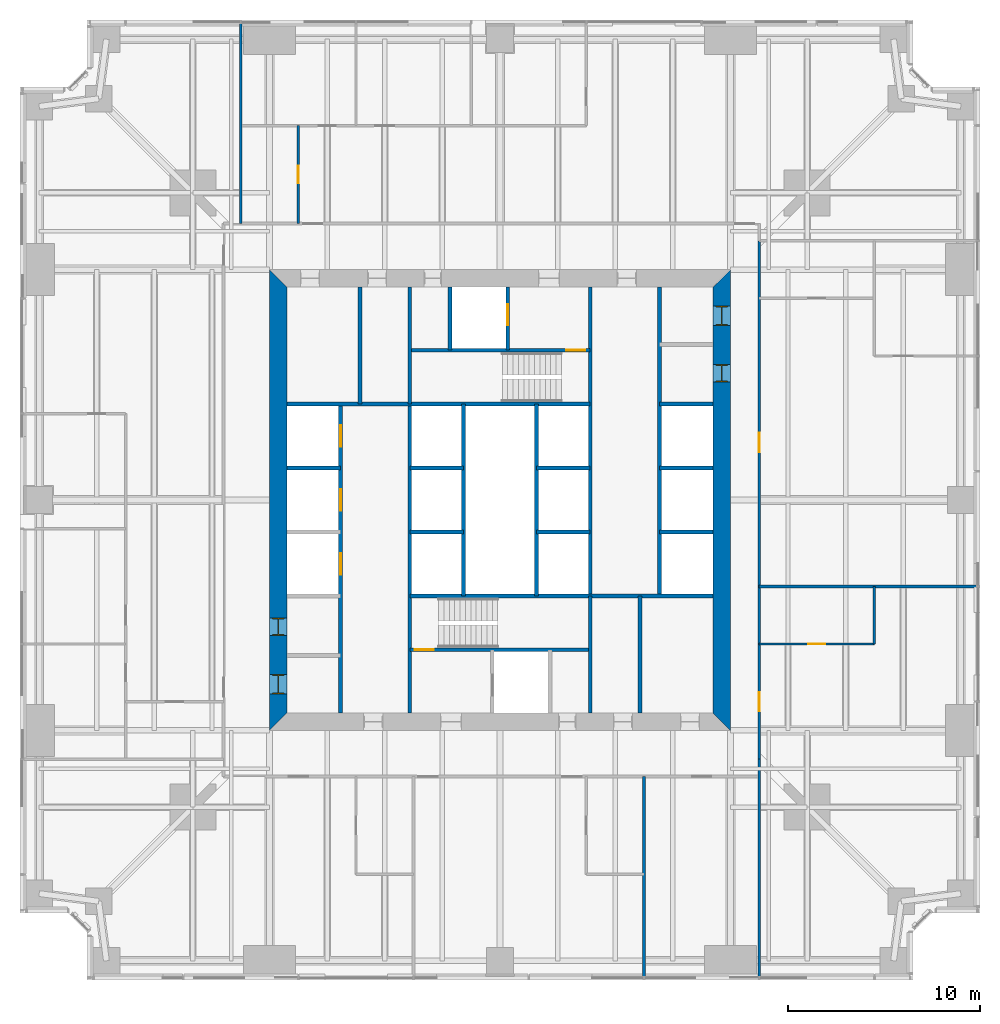
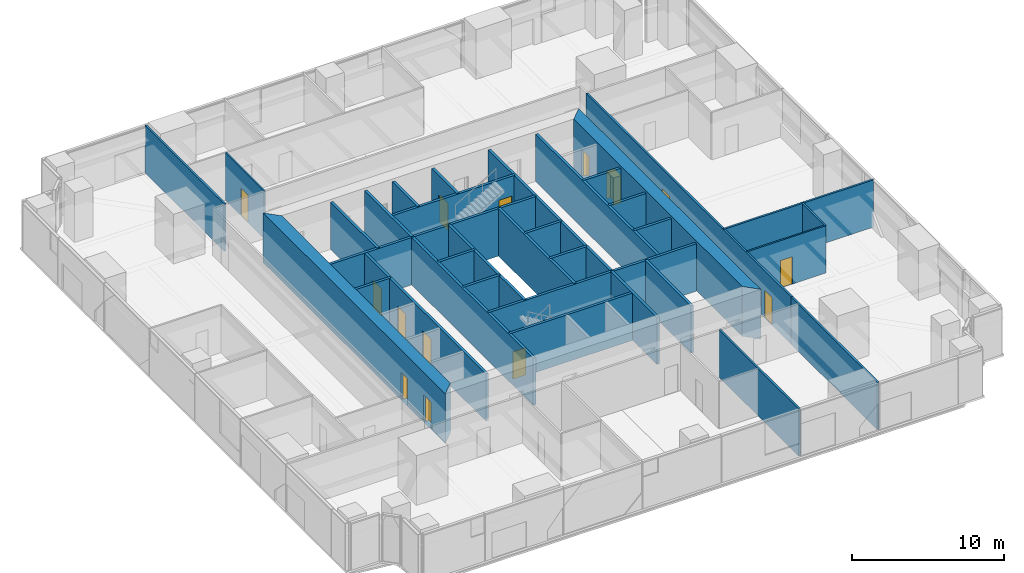
# One storey, part 10 of 14: 34 walls, 14 doors, 14 openings.
"""IFC4 building model written with IfcOpenShell, lengths in metres."""

from ifc_helpers import new_model, si_unit, direction, frame, frame_2d, origin, place, context, subcontext, project, spatial, polyline, rectangle, outline, extrude, material, layer, layer_set, type_object, element, fill, save


model = new_model("IFC4")

# Units and contexts
model_context = context("Model", 3, precision=1e-05, world=origin(), true_north=direction((0.0, 1.0)))
body_context = subcontext(model_context, "Body", "Model", "MODEL_VIEW")
ifc_project = project(units=[si_unit("LENGTHUNIT", "METRE"), si_unit("AREAUNIT", "SQUARE_METRE"), si_unit("VOLUMEUNIT", "CUBIC_METRE"), si_unit("PLANEANGLEUNIT", "RADIAN"), si_unit("MASSUNIT", "GRAM", prefix="KILO")], contexts=[model_context])

# Site, building, storey
site_placement = place(None, origin())
site = spatial("IfcSite", under=ifc_project, at=site_placement, CompositionType="ELEMENT")
building_placement = place(site_placement, origin())
building = spatial("IfcBuilding", under=site, at=building_placement, Name="Fenwick Lantern Interchange", CompositionType="ELEMENT")
storey_placement = place(building_placement, frame((0.0, 0.0, 87.0)))
storey = spatial("IfcBuildingStorey", under=building, at=storey_placement, Name="L20", CompositionType="ELEMENT", Elevation=87.0)

# Wall, openings, doors
ifc_material_1 = material(Name="Concrete masonry ASTM C90 Grade N", Category="masonry")
ifc_layer_1 = layer(ifc_material_1, 0.199951171875)
ifc_layer_set_1 = layer_set([ifc_layer_1], Name="Concrete masonry ASTM C90 Grade N")
wall_type_1 = type_object("IfcWallType", Name="CORE PARTITION 200", PredefinedType="PARTITIONING", material=ifc_layer_set_1)
wall_1_placement = place(storey_placement, frame((16.699951171875, 13.89990234375, 0.0), z_axis=(0.0, 0.0, 1.0), x_axis=(0.0, 1.0, 0.0)))
wall_1 = element("IfcWall", 1, at=wall_1_placement, inside=storey, type_object=wall_type_1, Name="L20/W/CORES/a", PredefinedType="PARTITIONING", context=body_context, shape_type="SweptSolid", body=[
    extrude(rectangle(XDim=16.10009765625, YDim=0.199951171875, at=frame_2d((8.050048828125, 0.0))), origin(), (0.0, 0.0, 1.0), 3.800048828125),
])
opening_1_placement = place(wall_1_placement, frame((7.216552734375, 0.0, 0.0)))
opening_1 = element("IfcOpeningElement", 2, at=opening_1_placement, cuts=wall_1, Name="Opening LD-W1-1", PredefinedType="OPENING", context=body_context, shape_type="SweptSolid", body=[
    extrude(rectangle(XDim=1.10009765625, YDim=2.199951171875, at=frame_2d((0.550048828125, 1.10009765625))), frame((0.0, 0.10986328125, 0.0), z_axis=(0.0, -1.0, 0.0), x_axis=(1.0, 0.0, 0.0)), (0.0, 0.0, 1.0), 0.219970703125),
])
opening_2_placement = place(wall_1_placement, frame((10.550048828125, 0.0, 0.0)))
opening_2 = element("IfcOpeningElement", 3, at=opening_2_placement, cuts=wall_1, Name="Opening LD-W1-2", PredefinedType="OPENING", context=body_context, shape_type="SweptSolid", body=[
    extrude(rectangle(XDim=1.10009765625, YDim=2.199951171875, at=frame_2d((0.550048828125, 1.10009765625))), frame((0.0, 0.10986328125, 0.0), z_axis=(0.0, -1.0, 0.0), x_axis=(1.0, 0.0, 0.0)), (0.0, 0.0, 1.0), 0.219970703125),
])
opening_3_placement = place(wall_1_placement, frame((13.88330078125, 0.0, 0.0)))
opening_3 = element("IfcOpeningElement", 4, at=opening_3_placement, cuts=wall_1, Name="Opening LD-W1-3", PredefinedType="OPENING", context=body_context, shape_type="SweptSolid", body=[
    extrude(rectangle(XDim=1.10009765625, YDim=2.199951171875, at=frame_2d((0.550048828125, 1.10009765625))), frame((0.0, 0.10986328125, 0.0), z_axis=(0.0, -1.0, 0.0), x_axis=(1.0, 0.0, 0.0)), (0.0, 0.0, 1.0), 0.219970703125),
])
ifc_material_2 = material(Name="Steel door and frame", Category="steel")
door_type_1 = type_object("IfcDoorType", Name="LIFT LANDING DOOR 1100 X 2200", OperationType="DOUBLE_DOOR_SLIDING", PredefinedType="DOOR", material=ifc_material_2)
door_1_placement = place(opening_1_placement, origin())
door_1 = element("IfcDoor", 5, at=door_1_placement, inside=storey, type_object=door_type_1, Name="Lift landing door W1-1", OperationType="DOUBLE_DOOR_SLIDING", OverallHeight=2.199951171875, OverallWidth=1.10009765625, PredefinedType="DOOR", context=body_context, shape_type="SweptSolid", body=[
    extrude(rectangle(XDim=1.10009765625, YDim=2.199951171875, at=frame_2d((0.550048828125, 1.10009765625))), frame((0.0, 0.02490234375, 0.0), z_axis=(0.0, -1.0, 0.0), x_axis=(1.0, 0.0, 0.0)), (0.0, 0.0, 1.0), 0.050048828125),
])
fill(opening_1, door_1)
door_2_placement = place(opening_2_placement, origin())
door_2 = element("IfcDoor", 6, at=door_2_placement, inside=storey, type_object=door_type_1, Name="Lift landing door W1-2", OperationType="DOUBLE_DOOR_SLIDING", OverallHeight=2.199951171875, OverallWidth=1.10009765625, PredefinedType="DOOR", context=body_context, shape_type="SweptSolid", body=[
    extrude(rectangle(XDim=1.10009765625, YDim=2.199951171875, at=frame_2d((0.550048828125, 1.10009765625))), frame((0.0, 0.02490234375, 0.0), z_axis=(0.0, -1.0, 0.0), x_axis=(1.0, 0.0, 0.0)), (0.0, 0.0, 1.0), 0.050048828125),
])
fill(opening_2, door_2)
door_3_placement = place(opening_3_placement, origin())
door_3 = element("IfcDoor", 7, at=door_3_placement, inside=storey, type_object=door_type_1, Name="Lift landing door W1-3", OperationType="DOUBLE_DOOR_SLIDING", OverallHeight=2.199951171875, OverallWidth=1.10009765625, PredefinedType="DOOR", context=body_context, shape_type="SweptSolid", body=[
    extrude(rectangle(XDim=1.10009765625, YDim=2.199951171875, at=frame_2d((0.550048828125, 1.10009765625))), frame((0.0, 0.02490234375, 0.0), z_axis=(0.0, -1.0, 0.0), x_axis=(1.0, 0.0, 0.0)), (0.0, 0.0, 1.0), 0.050048828125),
])
fill(opening_3, door_3)

# Walls
for number, where, z_axis, x_axis, name in (
    (8, (13.89990234375, 26.666748046875, 0.0), (0.0, 0.0, 1.0), (1.0, 0.0, 0.0), "L20/W/CORES/d2"),
    (9, (20.300048828125, 23.333251953125, 0.0), (0.0, 0.0, 1.0), (1.0, 0.0, 0.0), "L20/W/CORES/e1"),
    (10, (20.300048828125, 26.666748046875, 0.0), (0.0, 0.0, 1.0), (1.0, 0.0, 0.0), "L20/W/CORES/e2"),
):
    element("IfcWall", number, at=place(storey_placement, frame(where, z_axis=z_axis, x_axis=x_axis)), inside=storey, type_object=wall_type_1, Name=name, PredefinedType="PARTITIONING", context=body_context, shape_type="SweptSolid", body=[
        extrude(rectangle(XDim=2.800048828125, YDim=0.199951171875, at=frame_2d((1.39990234375, 0.0))), origin(), (0.0, 0.0, 1.0), 3.800048828125),
    ])
wall_2_placement = place(storey_placement, frame((23.10009765625, 20.0, 0.0), z_axis=(0.0, 0.0, 1.0), x_axis=(0.0, 1.0, 0.0)))
element("IfcWall", 11, at=wall_2_placement, inside=storey, type_object=wall_type_1, Name="L20/W/CORES/e3", PredefinedType="PARTITIONING", context=body_context, shape_type="SweptSolid", body=[
    extrude(rectangle(XDim=10.0, YDim=0.199951171875, at=frame_2d((5.0, 0.0))), origin(), (0.0, 0.0, 1.0), 3.800048828125),
])
wall_3_placement = place(storey_placement, frame((32.300048828125, 13.89990234375, 0.0), z_axis=(0.0, 0.0, 1.0), x_axis=(0.0, 1.0, 0.0)))
element("IfcWall", 12, at=wall_3_placement, inside=storey, type_object=wall_type_1, Name="L20/W/CORES/i2", PredefinedType="PARTITIONING", context=body_context, shape_type="SweptSolid", body=[
    extrude(rectangle(XDim=6.10009765625, YDim=0.199951171875, at=frame_2d((3.050048828125, 0.0))), origin(), (0.0, 0.0, 1.0), 3.800048828125),
])
wall_4_placement = place(storey_placement, frame((33.300048828125, 36.10009765625, 0.0), z_axis=(0.0, 0.0, 1.0), x_axis=(0.0, -1.0, 0.0)))
element("IfcWall", 13, at=wall_4_placement, inside=storey, type_object=wall_type_1, Name="L20/W/COREN/a", PredefinedType="PARTITIONING", context=body_context, shape_type="SweptSolid", body=[
    extrude(rectangle(XDim=16.10009765625, YDim=0.199951171875, at=frame_2d((8.050048828125, 0.0))), origin(), (0.0, 0.0, 1.0), 3.800048828125),
])
for number, where, z_axis, x_axis, name in (
    (14, (36.10009765625, 30.0, 0.0), (0.0, 0.0, 1.0), (-1.0, 0.0, 0.0), "L20/W/COREN/c2"),
    (15, (36.10009765625, 26.666748046875, 0.0), (0.0, 0.0, 1.0), (-1.0, 0.0, 0.0), "L20/W/COREN/d1"),
    (16, (36.10009765625, 23.333251953125, 0.0), (0.0, 0.0, 1.0), (-1.0, 0.0, 0.0), "L20/W/COREN/d2"),
    (17, (29.699951171875, 26.666748046875, 0.0), (0.0, 0.0, 1.0), (-1.0, 0.0, 0.0), "L20/W/COREN/e1"),
    (18, (29.699951171875, 23.333251953125, 0.0), (0.0, 0.0, 1.0), (-1.0, 0.0, 0.0), "L20/W/COREN/e2"),
):
    element("IfcWall", number, at=place(storey_placement, frame(where, z_axis=z_axis, x_axis=x_axis)), inside=storey, type_object=wall_type_1, Name=name, PredefinedType="PARTITIONING", context=body_context, shape_type="SweptSolid", body=[
        extrude(rectangle(XDim=2.800048828125, YDim=0.199951171875, at=frame_2d((1.39990234375, 0.0))), origin(), (0.0, 0.0, 1.0), 3.800048828125),
    ])
wall_5_placement = place(storey_placement, frame((26.89990234375, 30.0, 0.0), z_axis=(0.0, 0.0, 1.0), x_axis=(0.0, -1.0, 0.0)))
element("IfcWall", 19, at=wall_5_placement, inside=storey, type_object=wall_type_1, Name="L20/W/COREN/e3", PredefinedType="PARTITIONING", context=body_context, shape_type="SweptSolid", body=[
    extrude(rectangle(XDim=10.0, YDim=0.199951171875, at=frame_2d((5.0, 0.0))), origin(), (0.0, 0.0, 1.0), 3.800048828125),
])

# Wall, opening, door
wall_6_placement = place(storey_placement, frame((25.39990234375, 36.10009765625, 0.0), z_axis=(0.0, 0.0, 1.0), x_axis=(0.0, -1.0, 0.0)))
wall_6 = element("IfcWall", 20, at=wall_6_placement, inside=storey, type_object=wall_type_1, Name="L20/W/COREN/h1", PredefinedType="PARTITIONING", context=body_context, shape_type="SweptSolid", body=[
    extrude(rectangle(XDim=3.300048828125, YDim=0.199951171875, at=frame_2d((1.64990234375, 0.0))), origin(), (0.0, 0.0, 1.0), 3.800048828125),
])
opening_4_placement = place(wall_6_placement, frame((0.89990234375, 0.0, 0.0)))
opening_4 = element("IfcOpeningElement", 21, at=opening_4_placement, cuts=wall_6, Name="Opening LD-FL2", PredefinedType="OPENING", context=body_context, shape_type="SweptSolid", body=[
    extrude(rectangle(XDim=1.10009765625, YDim=2.199951171875, at=frame_2d((0.550048828125, 1.10009765625))), frame((0.0, 0.10986328125, 0.0), z_axis=(0.0, -1.0, 0.0), x_axis=(1.0, 0.0, 0.0)), (0.0, 0.0, 1.0), 0.219970703125),
])
door_4_placement = place(opening_4_placement, origin())
door_4 = element("IfcDoor", 22, at=door_4_placement, inside=storey, type_object=door_type_1, Name="Lift landing door FL2", OperationType="DOUBLE_DOOR_SLIDING", OverallHeight=2.199951171875, OverallWidth=1.10009765625, PredefinedType="DOOR", context=body_context, shape_type="SweptSolid", body=[
    extrude(rectangle(XDim=1.10009765625, YDim=2.199951171875, at=frame_2d((0.550048828125, 1.10009765625))), frame((0.0, 0.02490234375, 0.0), z_axis=(0.0, -1.0, 0.0), x_axis=(1.0, 0.0, 0.0)), (0.0, 0.0, 1.0), 0.050048828125),
])
fill(opening_4, door_4)

# Walls
wall_7_placement = place(storey_placement, frame((22.39990234375, 36.10009765625, 0.0), z_axis=(0.0, 0.0, 1.0), x_axis=(0.0, -1.0, 0.0)))
element("IfcWall", 23, at=wall_7_placement, inside=storey, type_object=wall_type_1, Name="L20/W/COREN/h2", PredefinedType="PARTITIONING", context=body_context, shape_type="SweptSolid", body=[
    extrude(rectangle(XDim=3.300048828125, YDim=0.199951171875, at=frame_2d((1.64990234375, 0.0))), origin(), (0.0, 0.0, 1.0), 3.800048828125),
])
wall_8_placement = place(storey_placement, frame((17.699951171875, 36.10009765625, 0.0), z_axis=(0.0, 0.0, 1.0), x_axis=(0.0, -1.0, 0.0)))
element("IfcWall", 24, at=wall_8_placement, inside=storey, type_object=wall_type_1, Name="L20/W/COREN/i2", PredefinedType="PARTITIONING", context=body_context, shape_type="SweptSolid", body=[
    extrude(rectangle(XDim=6.10009765625, YDim=0.199951171875, at=frame_2d((3.050048828125, 0.0))), origin(), (0.0, 0.0, 1.0), 3.800048828125),
])

# Wall, openings, doors
ifc_material_3 = material(Name="Concrete f'c 70 MPa", Category="concrete")
ifc_layer_2 = layer(ifc_material_3, 0.89990234375)
ifc_layer_set_2 = layer_set([ifc_layer_2], Name="CORE WALL 900")
wall_type_2 = type_object("IfcWallType", Name="CORE WALL 900", PredefinedType="SHEAR", material=ifc_layer_set_2)
wall_9_placement = place(storey_placement, frame((36.550048828125, 13.89990234375, 0.0), z_axis=(0.0, 0.0, 1.0), x_axis=(0.0, 1.0, 0.0)))
wall_9 = element("IfcWall", 25, at=wall_9_placement, inside=storey, type_object=wall_type_2, Name="L20/CORE/E", PredefinedType="SHEAR", context=body_context, shape_type="SweptSolid", body=[
    extrude(outline(polyline([(-0.89990234375, -0.449951171875), (23.10009765625, -0.449951171875), (22.199951171875, 0.449951171875), (0.0, 0.449951171875), (-0.89990234375, -0.449951171875)])), origin(), (0.0, 0.0, 1.0), 4.0),
])
opening_5_placement = place(wall_9_placement, frame((20.199951171875, 0.0, 0.0)))
opening_5 = element("IfcOpeningElement", 26, at=opening_5_placement, cuts=wall_9, Name="Opening L20-D015", PredefinedType="OPENING", context=body_context, shape_type="SweptSolid", body=[
    extrude(rectangle(XDim=1.0, YDim=2.199951171875, at=frame_2d((0.5, 1.10009765625))), frame((0.0, 0.4599609375, 0.0), z_axis=(0.0, -1.0, 0.0), x_axis=(1.0, 0.0, 0.0)), (0.0, 0.0, 1.0), 0.919921875),
])
opening_6_placement = place(wall_9_placement, frame((17.25, 0.0, 0.0)))
opening_6 = element("IfcOpeningElement", 27, at=opening_6_placement, cuts=wall_9, Name="Opening L20-D016", PredefinedType="OPENING", context=body_context, shape_type="SweptSolid", body=[
    extrude(rectangle(XDim=0.89990234375, YDim=2.199951171875, at=frame_2d((0.449951171875, 1.10009765625))), frame((0.0, 0.4599609375, 0.0), z_axis=(0.0, -1.0, 0.0), x_axis=(1.0, 0.0, 0.0)), (0.0, 0.0, 1.0), 0.919921875),
])
door_type_2 = type_object("IfcDoorType", Name="SERVICE DOOR 900 X 2200", OperationType="SINGLE_SWING_LEFT", PredefinedType="DOOR", material=ifc_material_2)
door_5_placement = place(opening_6_placement, origin())
door_5 = element("IfcDoor", 28, at=door_5_placement, inside=storey, type_object=door_type_2, Name="Service door", OperationType="SINGLE_SWING_RIGHT", OverallHeight=2.199951171875, OverallWidth=0.89990234375, PredefinedType="DOOR", context=body_context, shape_type="SweptSolid", body=[
    extrude(rectangle(XDim=0.89990234375, YDim=2.199951171875, at=frame_2d((0.449951171875, 1.10009765625))), frame((0.0, 0.02490234375, 0.0), z_axis=(0.0, -1.0, 0.0), x_axis=(1.0, 0.0, 0.0)), (0.0, 0.0, 1.0), 0.050048828125),
    extrude(outline(polyline([(0.0, 0.0), (0.0400390625, 0.0), (0.0400390625, 2.159912109375), (0.85986328125, 2.159912109375), (0.85986328125, 0.0), (0.89990234375, 0.0), (0.89990234375, 2.199951171875), (0.0, 2.199951171875), (0.0, 0.0)])), frame((0.0, 0.300048828125, 0.0), z_axis=(0.0, -1.0, 0.0), x_axis=(1.0, 0.0, 0.0)), (0.0, 0.0, 1.0), 0.60009765625),
])
fill(opening_6, door_5)
ifc_material_4 = material(Name="Hardwood door and steel frame", Category="steel")
door_type_3 = type_object("IfcDoorType", Name="WC DOOR 1000 X 2200", OperationType="SINGLE_SWING_LEFT", PredefinedType="DOOR", material=ifc_material_4)
door_6_placement = place(opening_5_placement, origin())
door_6 = element("IfcDoor", 29, at=door_6_placement, inside=storey, type_object=door_type_3, Name="Wc door", OperationType="SINGLE_SWING_LEFT", OverallHeight=2.199951171875, OverallWidth=1.0, PredefinedType="DOOR", context=body_context, shape_type="SweptSolid", body=[
    extrude(rectangle(XDim=1.0, YDim=2.199951171875, at=frame_2d((0.5, 1.10009765625))), frame((0.0, 0.02490234375, 0.0), z_axis=(0.0, -1.0, 0.0), x_axis=(1.0, 0.0, 0.0)), (0.0, 0.0, 1.0), 0.050048828125),
    extrude(outline(polyline([(0.0, 0.0), (0.0400390625, 0.0), (0.0400390625, 2.159912109375), (0.9599609375, 2.159912109375), (0.9599609375, 0.0), (1.0, 0.0), (1.0, 2.199951171875), (0.0, 2.199951171875), (0.0, 0.0)])), frame((0.0, 0.300048828125, 0.0), z_axis=(0.0, -1.0, 0.0), x_axis=(1.0, 0.0, 0.0)), (0.0, 0.0, 1.0), 0.60009765625),
])
fill(opening_5, door_6)

wall_10_placement = place(storey_placement, frame((13.449951171875, 36.10009765625, 0.0), z_axis=(0.0, 0.0, 1.0), x_axis=(0.0, -1.0, 0.0)))
wall_10 = element("IfcWall", 30, at=wall_10_placement, inside=storey, type_object=wall_type_2, Name="L20/CORE/W", PredefinedType="SHEAR", context=body_context, shape_type="SweptSolid", body=[
    extrude(outline(polyline([(-0.89990234375, -0.449951171875), (23.10009765625, -0.449951171875), (22.199951171875, 0.449951171875), (0.0, 0.449951171875), (-0.89990234375, -0.449951171875)])), origin(), (0.0, 0.0, 1.0), 4.0),
])
opening_7_placement = place(wall_10_placement, frame((20.199951171875, 0.0, 0.0)))
opening_7 = element("IfcOpeningElement", 31, at=opening_7_placement, cuts=wall_10, Name="Opening L20-D007", PredefinedType="OPENING", context=body_context, shape_type="SweptSolid", body=[
    extrude(rectangle(XDim=1.0, YDim=2.199951171875, at=frame_2d((0.5, 1.10009765625))), frame((0.0, 0.4599609375, 0.0), z_axis=(0.0, -1.0, 0.0), x_axis=(1.0, 0.0, 0.0)), (0.0, 0.0, 1.0), 0.919921875),
])
opening_8_placement = place(wall_10_placement, frame((17.25, 0.0, 0.0)))
opening_8 = element("IfcOpeningElement", 32, at=opening_8_placement, cuts=wall_10, Name="Opening L20-D008", PredefinedType="OPENING", context=body_context, shape_type="SweptSolid", body=[
    extrude(rectangle(XDim=0.89990234375, YDim=2.199951171875, at=frame_2d((0.449951171875, 1.10009765625))), frame((0.0, 0.4599609375, 0.0), z_axis=(0.0, -1.0, 0.0), x_axis=(1.0, 0.0, 0.0)), (0.0, 0.0, 1.0), 0.919921875),
])
door_7_placement = place(opening_8_placement, origin())
door_7 = element("IfcDoor", 33, at=door_7_placement, inside=storey, type_object=door_type_2, Name="Service door", OperationType="SINGLE_SWING_RIGHT", OverallHeight=2.199951171875, OverallWidth=0.89990234375, PredefinedType="DOOR", context=body_context, shape_type="SweptSolid", body=[
    extrude(rectangle(XDim=0.89990234375, YDim=2.199951171875, at=frame_2d((0.449951171875, 1.10009765625))), frame((0.0, 0.02490234375, 0.0), z_axis=(0.0, -1.0, 0.0), x_axis=(1.0, 0.0, 0.0)), (0.0, 0.0, 1.0), 0.050048828125),
    extrude(outline(polyline([(0.0, 0.0), (0.0400390625, 0.0), (0.0400390625, 2.159912109375), (0.85986328125, 2.159912109375), (0.85986328125, 0.0), (0.89990234375, 0.0), (0.89990234375, 2.199951171875), (0.0, 2.199951171875), (0.0, 0.0)])), frame((0.0, 0.300048828125, 0.0), z_axis=(0.0, -1.0, 0.0), x_axis=(1.0, 0.0, 0.0)), (0.0, 0.0, 1.0), 0.60009765625),
])
fill(opening_8, door_7)
door_8_placement = place(opening_7_placement, origin())
door_8 = element("IfcDoor", 34, at=door_8_placement, inside=storey, type_object=door_type_3, Name="Wc door", OperationType="SINGLE_SWING_LEFT", OverallHeight=2.199951171875, OverallWidth=1.0, PredefinedType="DOOR", context=body_context, shape_type="SweptSolid", body=[
    extrude(rectangle(XDim=1.0, YDim=2.199951171875, at=frame_2d((0.5, 1.10009765625))), frame((0.0, 0.02490234375, 0.0), z_axis=(0.0, -1.0, 0.0), x_axis=(1.0, 0.0, 0.0)), (0.0, 0.0, 1.0), 0.050048828125),
    extrude(outline(polyline([(0.0, 0.0), (0.0400390625, 0.0), (0.0400390625, 2.159912109375), (0.9599609375, 2.159912109375), (0.9599609375, 0.0), (1.0, 0.0), (1.0, 2.199951171875), (0.0, 2.199951171875), (0.0, 0.0)])), frame((0.0, 0.300048828125, 0.0), z_axis=(0.0, -1.0, 0.0), x_axis=(1.0, 0.0, 0.0)), (0.0, 0.0, 1.0), 0.60009765625),
])
fill(opening_7, door_8)

ifc_material_5 = material(Name="Gypsum board on steel studs, 1 hour", Category="steel")
ifc_layer_3 = layer(ifc_material_5, 0.14990234375)
ifc_layer_set_3 = layer_set([ifc_layer_3], Name="CORRIDOR WALL 150")
wall_type_3 = type_object("IfcWallType", Name="CORRIDOR WALL 150", PredefinedType="PARTITIONING", material=ifc_layer_set_3)
wall_11_placement = place(storey_placement, frame((38.5, 11.5, 0.0), z_axis=(0.0, 0.0, 1.0), x_axis=(0.0, 1.0, 0.0)))
wall_11 = element("IfcWall", 35, at=wall_11_placement, inside=storey, type_object=wall_type_3, Name="L20/W/OFF/E/CW", PredefinedType="PARTITIONING", context=body_context, shape_type="SweptSolid", body=[
    extrude(rectangle(XDim=27.0, YDim=0.14990234375, at=frame_2d((13.5, 0.0))), origin(), (0.0, 0.0, 1.0), 3.800048828125),
])
opening_9_placement = place(wall_11_placement, frame((2.5, 0.0, 0.0)))
opening_9 = element("IfcOpeningElement", 36, at=opening_9_placement, cuts=wall_11, Name="Opening L20-D023", PredefinedType="OPENING", context=body_context, shape_type="SweptSolid", body=[
    extrude(rectangle(XDim=1.0, YDim=2.199951171875, at=frame_2d((0.5, 1.10009765625))), frame((0.0, 0.0849609375, 0.0), z_axis=(0.0, -1.0, 0.0), x_axis=(1.0, 0.0, 0.0)), (0.0, 0.0, 1.0), 0.169921875),
])
opening_10_placement = place(wall_11_placement, frame((16.0, 0.0, 0.0)))
opening_10 = element("IfcOpeningElement", 37, at=opening_10_placement, cuts=wall_11, Name="Opening L20-D025", PredefinedType="OPENING", context=body_context, shape_type="SweptSolid", body=[
    extrude(rectangle(XDim=1.0, YDim=2.199951171875, at=frame_2d((0.5, 1.10009765625))), frame((0.0, 0.0849609375, 0.0), z_axis=(0.0, -1.0, 0.0), x_axis=(1.0, 0.0, 0.0)), (0.0, 0.0, 1.0), 0.169921875),
])
door_type_4 = type_object("IfcDoorType", Name="SUITE ENTRANCE DOOR 1000 X 2200", OperationType="SINGLE_SWING_LEFT", PredefinedType="DOOR", material=ifc_material_2)
door_9_placement = place(opening_9_placement, frame((1.0, 0.0, 0.0), z_axis=(0.0, 0.0, 1.0), x_axis=(-1.0, 0.0, 0.0)))
door_9 = element("IfcDoor", 38, at=door_9_placement, inside=storey, type_object=door_type_4, Name="Suite entrance door", OperationType="SINGLE_SWING_LEFT", OverallHeight=2.199951171875, OverallWidth=1.0, PredefinedType="DOOR", context=body_context, shape_type="SweptSolid", body=[
    extrude(rectangle(XDim=1.0, YDim=2.199951171875, at=frame_2d((0.5, 1.10009765625))), frame((0.0, 0.02490234375, 0.0), z_axis=(0.0, -1.0, 0.0), x_axis=(1.0, 0.0, 0.0)), (0.0, 0.0, 1.0), 0.050048828125),
])
fill(opening_9, door_9)
door_10_placement = place(opening_10_placement, frame((1.0, 0.0, 0.0), z_axis=(0.0, 0.0, 1.0), x_axis=(-1.0, 0.0, 0.0)))
door_10 = element("IfcDoor", 39, at=door_10_placement, inside=storey, type_object=door_type_4, Name="Suite entrance door", OperationType="SINGLE_SWING_RIGHT", OverallHeight=2.199951171875, OverallWidth=1.0, PredefinedType="DOOR", context=body_context, shape_type="SweptSolid", body=[
    extrude(rectangle(XDim=1.0, YDim=2.199951171875, at=frame_2d((0.5, 1.10009765625))), frame((0.0, 0.02490234375, 0.0), z_axis=(0.0, -1.0, 0.0), x_axis=(1.0, 0.0, 0.0)), (0.0, 0.0, 1.0), 0.050048828125),
])
fill(opening_10, door_10)

# Wall, opening, door
ifc_material_6 = material(Name="Gypsum board on steel studs, acoustic", Category="steel")
ifc_layer_4 = layer(ifc_material_6, 0.125)
ifc_layer_set_4 = layer_set([ifc_layer_4], Name="OFFICE PARTITION 125")
wall_type_4 = type_object("IfcWallType", Name="OFFICE PARTITION 125", PredefinedType="PARTITIONING", material=ifc_layer_set_4)
wall_12_placement = place(storey_placement, frame((44.5, 17.5, 0.0), z_axis=(0.0, 0.0, 1.0), x_axis=(-1.0, 0.0, 0.0)))
wall_12 = element("IfcWall", 40, at=wall_12_placement, inside=storey, type_object=wall_type_4, Name="L20/W/OFF/E/X175-1", PredefinedType="PARTITIONING", context=body_context, shape_type="SweptSolid", body=[
    extrude(rectangle(XDim=6.0, YDim=0.125, at=frame_2d((3.0, 0.0))), origin(), (0.0, 0.0, 1.0), 3.800048828125),
])
opening_11_placement = place(wall_12_placement, frame((2.550048828125, 0.0, 0.0)))
opening_11 = element("IfcOpeningElement", 41, at=opening_11_placement, cuts=wall_12, Name="Opening L20-D024", PredefinedType="OPENING", context=body_context, shape_type="SweptSolid", body=[
    extrude(rectangle(XDim=0.89990234375, YDim=2.199951171875, at=frame_2d((0.449951171875, 1.10009765625))), frame((0.0, 0.072509765625, 0.0), z_axis=(0.0, -1.0, 0.0), x_axis=(1.0, 0.0, 0.0)), (0.0, 0.0, 1.0), 0.14501953125),
])
door_type_5 = type_object("IfcDoorType", Name="OFFICE DOOR 900 X 2200", OperationType="SINGLE_SWING_LEFT", PredefinedType="DOOR", material=ifc_material_4)
door_11_placement = place(opening_11_placement, frame((0.89990234375, 0.0, 0.0), z_axis=(0.0, 0.0, 1.0), x_axis=(-1.0, 0.0, 0.0)))
door_11 = element("IfcDoor", 42, at=door_11_placement, inside=storey, type_object=door_type_5, Name="Office door", OperationType="SINGLE_SWING_RIGHT", OverallHeight=2.199951171875, OverallWidth=0.89990234375, PredefinedType="DOOR", context=body_context, shape_type="SweptSolid", body=[
    extrude(rectangle(XDim=0.89990234375, YDim=2.199951171875, at=frame_2d((0.449951171875, 1.10009765625))), frame((0.0, 0.02490234375, 0.0), z_axis=(0.0, -1.0, 0.0), x_axis=(1.0, 0.0, 0.0)), (0.0, 0.0, 1.0), 0.050048828125),
])
fill(opening_11, door_11)

# Wall
wall_13_placement = place(storey_placement, frame((44.5, 17.5, 0.0), z_axis=(0.0, 0.0, 1.0), x_axis=(0.0, 1.0, 0.0)))
element("IfcWall", 43, at=wall_13_placement, inside=storey, type_object=wall_type_4, Name="L20/W/OFF/E/Y55-1", PredefinedType="PARTITIONING", context=body_context, shape_type="SweptSolid", body=[
    extrude(rectangle(XDim=3.0, YDim=0.125, at=frame_2d((1.5, 0.0))), origin(), (0.0, 0.0, 1.0), 3.800048828125),
])

# Wall, opening, door
wall_14_placement = place(storey_placement, frame((14.5, 44.5, 0.0), z_axis=(0.0, 0.0, 1.0), x_axis=(0.0, -1.0, 0.0)))
wall_14 = element("IfcWall", 44, at=wall_14_placement, inside=storey, type_object=wall_type_4, Name="L20/W/OFF/N/X355-1", PredefinedType="PARTITIONING", context=body_context, shape_type="SweptSolid", body=[
    extrude(rectangle(XDim=5.10009765625, YDim=0.125, at=frame_2d((2.550048828125, 0.0))), origin(), (0.0, 0.0, 1.0), 3.800048828125),
])
opening_12_placement = place(wall_14_placement, frame((2.10009765625, 0.0, 0.0)))
opening_12 = element("IfcOpeningElement", 45, at=opening_12_placement, cuts=wall_14, Name="Opening L20-D033", PredefinedType="OPENING", context=body_context, shape_type="SweptSolid", body=[
    extrude(rectangle(XDim=0.89990234375, YDim=2.199951171875, at=frame_2d((0.449951171875, 1.10009765625))), frame((0.0, 0.072509765625, 0.0), z_axis=(0.0, -1.0, 0.0), x_axis=(1.0, 0.0, 0.0)), (0.0, 0.0, 1.0), 0.14501953125),
])
door_12_placement = place(opening_12_placement, frame((0.89990234375, 0.0, 0.0), z_axis=(0.0, 0.0, 1.0), x_axis=(-1.0, 0.0, 0.0)))
door_12 = element("IfcDoor", 46, at=door_12_placement, inside=storey, type_object=door_type_5, Name="Office door", OperationType="SINGLE_SWING_RIGHT", OverallHeight=2.199951171875, OverallWidth=0.89990234375, PredefinedType="DOOR", context=body_context, shape_type="SweptSolid", body=[
    extrude(rectangle(XDim=0.89990234375, YDim=2.199951171875, at=frame_2d((0.449951171875, 1.10009765625))), frame((0.0, 0.02490234375, 0.0), z_axis=(0.0, -1.0, 0.0), x_axis=(1.0, 0.0, 0.0)), (0.0, 0.0, 1.0), 0.050048828125),
])
fill(opening_12, door_12)

# Wall
ifc_material_7 = material(Name="Concrete f'c 45 MPa", Category="concrete")
ifc_layer_5 = layer(ifc_material_7, 0.199951171875)
ifc_layer_set_5 = layer_set([ifc_layer_5], Name="STAIR CORE WALL 200")
wall_type_5 = type_object("IfcWallType", Name="STAIR CORE WALL 200", PredefinedType="SOLIDWALL", material=ifc_layer_set_5)
wall_15_placement = place(storey_placement, frame((20.300048828125, 13.89990234375, 0.0), z_axis=(0.0, 0.0, 1.0), x_axis=(0.0, 1.0, 0.0)))
element("IfcWall", 47, at=wall_15_placement, inside=storey, type_object=wall_type_5, Name="L20/W/CORES/b", PredefinedType="SOLIDWALL", context=body_context, shape_type="SweptSolid", body=[
    extrude(rectangle(XDim=16.10009765625, YDim=0.199951171875, at=frame_2d((8.050048828125, 0.0))), origin(), (0.0, 0.0, 1.0), 3.800048828125),
])

# Wall, opening, door
wall_16_placement = place(storey_placement, frame((20.300048828125, 17.199951171875, 0.0), z_axis=(0.0, 0.0, 1.0), x_axis=(1.0, 0.0, 0.0)))
wall_16 = element("IfcWall", 48, at=wall_16_placement, inside=storey, type_object=wall_type_5, Name="L20/W/CORES/g1", PredefinedType="SOLIDWALL", context=body_context, shape_type="SweptSolid", body=[
    extrude(rectangle(XDim=9.39990234375, YDim=0.199951171875, at=frame_2d((4.699951171875, 0.0))), origin(), (0.0, 0.0, 1.0), 3.800048828125),
])
opening_13_placement = place(wall_16_placement, frame((0.25, 0.0, 0.0)))
opening_13 = element("IfcOpeningElement", 49, at=opening_13_placement, cuts=wall_16, Name="Opening L20-D003", PredefinedType="OPENING", context=body_context, shape_type="SweptSolid", body=[
    extrude(rectangle(XDim=1.0, YDim=2.199951171875, at=frame_2d((0.5, 1.10009765625))), frame((0.0, 0.10986328125, 0.0), z_axis=(0.0, -1.0, 0.0), x_axis=(1.0, 0.0, 0.0)), (0.0, 0.0, 1.0), 0.219970703125),
])
door_type_6 = type_object("IfcDoorType", Name="STAIR DOOR 1000 X 2200", OperationType="SINGLE_SWING_LEFT", PredefinedType="DOOR", material=ifc_material_2)
door_13_placement = place(opening_13_placement, origin())
door_13 = element("IfcDoor", 50, at=door_13_placement, inside=storey, type_object=door_type_6, Name="Stair door", OperationType="SINGLE_SWING_LEFT", OverallHeight=2.199951171875, OverallWidth=1.0, PredefinedType="DOOR", context=body_context, shape_type="SweptSolid", body=[
    extrude(rectangle(XDim=1.0, YDim=2.199951171875, at=frame_2d((0.5, 1.10009765625))), frame((0.0, 0.02490234375, 0.0), z_axis=(0.0, -1.0, 0.0), x_axis=(1.0, 0.0, 0.0)), (0.0, 0.0, 1.0), 0.050048828125),
])
fill(opening_13, door_13)

# Walls
wall_17_placement = place(storey_placement, frame((20.300048828125, 20.0, 0.0), z_axis=(0.0, 0.0, 1.0), x_axis=(1.0, 0.0, 0.0)))
element("IfcWall", 51, at=wall_17_placement, inside=storey, type_object=wall_type_5, Name="L20/W/CORES/g2", PredefinedType="SOLIDWALL", context=body_context, shape_type="SweptSolid", body=[
    extrude(rectangle(XDim=15.800048828125, YDim=0.199951171875, at=frame_2d((7.89990234375, 0.0))), origin(), (0.0, 0.0, 1.0), 3.800048828125),
])
wall_18_placement = place(storey_placement, frame((29.699951171875, 13.89990234375, 0.0), z_axis=(0.0, 0.0, 1.0), x_axis=(0.0, 1.0, 0.0)))
element("IfcWall", 52, at=wall_18_placement, inside=storey, type_object=wall_type_5, Name="L20/W/CORES/i1", PredefinedType="SOLIDWALL", context=body_context, shape_type="SweptSolid", body=[
    extrude(rectangle(XDim=6.10009765625, YDim=0.199951171875, at=frame_2d((3.050048828125, 0.0))), origin(), (0.0, 0.0, 1.0), 3.800048828125),
])
wall_19_placement = place(storey_placement, frame((29.699951171875, 36.10009765625, 0.0), z_axis=(0.0, 0.0, 1.0), x_axis=(0.0, -1.0, 0.0)))
element("IfcWall", 53, at=wall_19_placement, inside=storey, type_object=wall_type_5, Name="L20/W/COREN/b", PredefinedType="SOLIDWALL", context=body_context, shape_type="SweptSolid", body=[
    extrude(rectangle(XDim=16.10009765625, YDim=0.199951171875, at=frame_2d((8.050048828125, 0.0))), origin(), (0.0, 0.0, 1.0), 3.800048828125),
])

# Wall, opening, door
wall_20_placement = place(storey_placement, frame((29.699951171875, 32.800048828125, 0.0), z_axis=(0.0, 0.0, 1.0), x_axis=(-1.0, 0.0, 0.0)))
wall_20 = element("IfcWall", 54, at=wall_20_placement, inside=storey, type_object=wall_type_5, Name="L20/W/COREN/g1", PredefinedType="SOLIDWALL", context=body_context, shape_type="SweptSolid", body=[
    extrude(rectangle(XDim=9.39990234375, YDim=0.199951171875, at=frame_2d((4.699951171875, 0.0))), origin(), (0.0, 0.0, 1.0), 3.800048828125),
])
opening_14_placement = place(wall_20_placement, frame((0.25, 0.0, 0.0)))
opening_14 = element("IfcOpeningElement", 55, at=opening_14_placement, cuts=wall_20, Name="Opening L20-D011", PredefinedType="OPENING", context=body_context, shape_type="SweptSolid", body=[
    extrude(rectangle(XDim=1.0, YDim=2.199951171875, at=frame_2d((0.5, 1.10009765625))), frame((0.0, 0.10986328125, 0.0), z_axis=(0.0, -1.0, 0.0), x_axis=(1.0, 0.0, 0.0)), (0.0, 0.0, 1.0), 0.219970703125),
])
door_14_placement = place(opening_14_placement, origin())
door_14 = element("IfcDoor", 56, at=door_14_placement, inside=storey, type_object=door_type_6, Name="Stair door", OperationType="SINGLE_SWING_LEFT", OverallHeight=2.199951171875, OverallWidth=1.0, PredefinedType="DOOR", context=body_context, shape_type="SweptSolid", body=[
    extrude(rectangle(XDim=1.0, YDim=2.199951171875, at=frame_2d((0.5, 1.10009765625))), frame((0.0, 0.02490234375, 0.0), z_axis=(0.0, -1.0, 0.0), x_axis=(1.0, 0.0, 0.0)), (0.0, 0.0, 1.0), 0.050048828125),
])
fill(opening_14, door_14)

# Walls
wall_21_placement = place(storey_placement, frame((29.699951171875, 30.0, 0.0), z_axis=(0.0, 0.0, 1.0), x_axis=(-1.0, 0.0, 0.0)))
element("IfcWall", 57, at=wall_21_placement, inside=storey, type_object=wall_type_5, Name="L20/W/COREN/g2", PredefinedType="SOLIDWALL", context=body_context, shape_type="SweptSolid", body=[
    extrude(rectangle(XDim=15.800048828125, YDim=0.199951171875, at=frame_2d((7.89990234375, 0.0))), origin(), (0.0, 0.0, 1.0), 3.800048828125),
])
wall_22_placement = place(storey_placement, frame((20.300048828125, 36.10009765625, 0.0), z_axis=(0.0, 0.0, 1.0), x_axis=(0.0, -1.0, 0.0)))
element("IfcWall", 58, at=wall_22_placement, inside=storey, type_object=wall_type_5, Name="L20/W/COREN/i1", PredefinedType="SOLIDWALL", context=body_context, shape_type="SweptSolid", body=[
    extrude(rectangle(XDim=6.10009765625, YDim=0.199951171875, at=frame_2d((3.050048828125, 0.0))), origin(), (0.0, 0.0, 1.0), 3.800048828125),
])
ifc_material_8 = material(Name="Gypsum board on steel studs, 1 hour acoustic", Category="steel")
ifc_layer_6 = layer(ifc_material_8, 0.14990234375)
ifc_layer_set_6 = layer_set([ifc_layer_6], Name="TENANT WALL 150")
wall_type_6 = type_object("IfcWallType", Name="TENANT WALL 150", PredefinedType="PARTITIONING", material=ifc_layer_set_6)
wall_23_placement = place(storey_placement, frame((32.5, 0.14990234375, 0.0), z_axis=(0.0, 0.0, 1.0), x_axis=(0.0, 1.0, 0.0)))
element("IfcWall", 59, at=wall_23_placement, inside=storey, type_object=wall_type_6, Name="L20/W/OFF/S/X325-1", PredefinedType="PARTITIONING", context=body_context, shape_type="SweptSolid", body=[
    extrude(rectangle(XDim=10.4501953125, YDim=0.14990234375, at=frame_2d((5.22509765625, 0.0))), origin(), (0.0, 0.0, 1.0), 3.800048828125),
])
for number, where, z_axis, x_axis, name in (
    (60, (38.5, 0.14990234375, 0.0), (0.0, 0.0, 1.0), (0.0, 1.0, 0.0), "L20/W/OFF/E/BACK"),
    (61, (49.85009765625, 20.5, 0.0), (0.0, 0.0, 1.0), (-1.0, 0.0, 0.0), "L20/W/OFF/E/X205-1"),
):
    element("IfcWall", number, at=place(storey_placement, frame(where, z_axis=z_axis, x_axis=x_axis)), inside=storey, type_object=wall_type_6, Name=name, PredefinedType="PARTITIONING", context=body_context, shape_type="SweptSolid", body=[
        extrude(rectangle(XDim=11.35009765625, YDim=0.14990234375, at=frame_2d((5.675048828125, 0.0))), origin(), (0.0, 0.0, 1.0), 3.800048828125),
    ])
wall_24_placement = place(storey_placement, frame((11.5, 49.85009765625, 0.0), z_axis=(0.0, 0.0, 1.0), x_axis=(0.0, -1.0, 0.0)))
element("IfcWall", 62, at=wall_24_placement, inside=storey, type_object=wall_type_6, Name="L20/W/OFF/W/BACK", PredefinedType="PARTITIONING", context=body_context, shape_type="SweptSolid", body=[
    extrude(rectangle(XDim=10.4501953125, YDim=0.14990234375, at=frame_2d((5.22509765625, 0.0))), origin(), (0.0, 0.0, 1.0), 3.800048828125),
])

save(model, "model.ifc")
